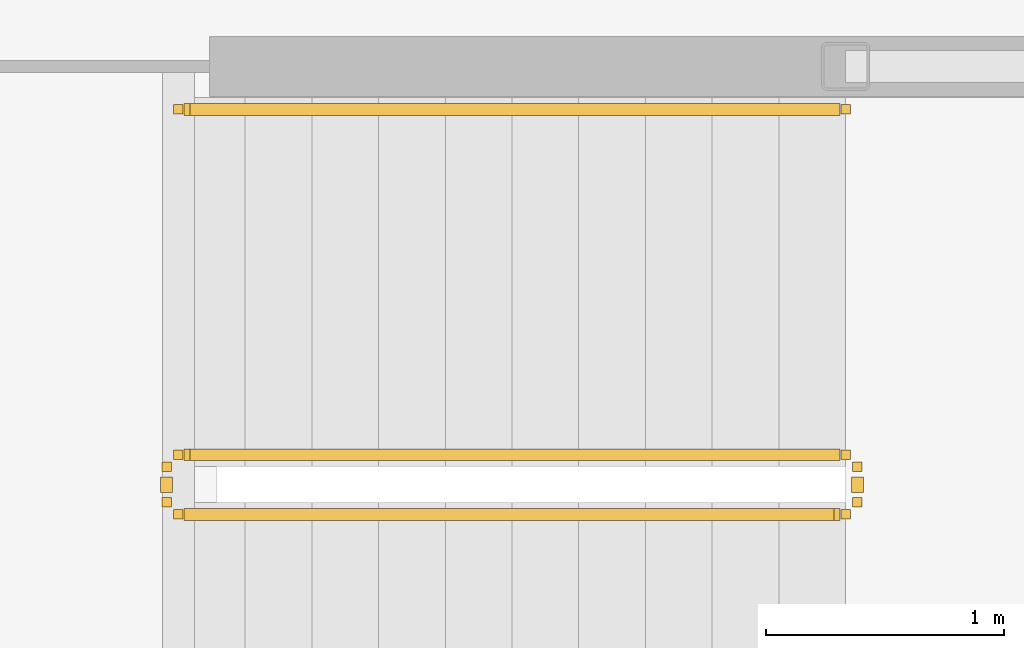
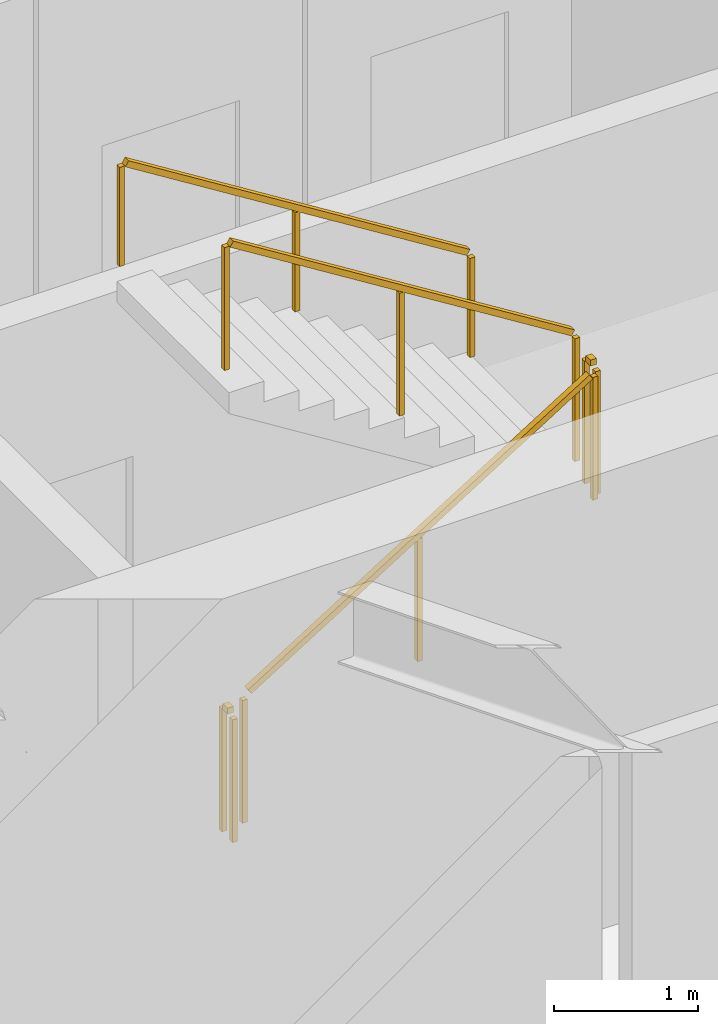
# One storey, part 27 of 30: 5 railings.
"""IFC4 building model written with IfcOpenShell, lengths in metres."""

from ifc_helpers import new_model, si_unit, direction, frame, origin, origin_2d, place, context, subcontext, project, spatial, rectangle, extrude, material, type_object, element, save


model = new_model("IFC4")

# Units and contexts
model_context = context("Model", 3, precision=1e-05, world=origin(), true_north=direction((0.0, 1.0)))
body_context = subcontext(model_context, "Body", "Model", "MODEL_VIEW")
ifc_project = project(units=[si_unit("LENGTHUNIT", "METRE"), si_unit("AREAUNIT", "SQUARE_METRE"), si_unit("VOLUMEUNIT", "CUBIC_METRE"), si_unit("PLANEANGLEUNIT", "RADIAN"), si_unit("MASSUNIT", "GRAM", prefix="KILO")], contexts=[model_context])

# Site, building, storey
site_placement = place(None, origin())
site = spatial("IfcSite", under=ifc_project, at=site_placement, CompositionType="ELEMENT")
building_placement = place(site_placement, origin())
building = spatial("IfcBuilding", under=site, at=building_placement, Name="Kazma Halo Residences", CompositionType="ELEMENT")
storey_placement = place(building_placement, frame((0.0, 0.0, 244.39990234375)))
storey = spatial("IfcBuildingStorey", under=building, at=storey_placement, Name="L61", CompositionType="ELEMENT", Elevation=244.39990234375)

# Railings
ifc_material_1 = material(Name="Painted Steel S355", Category="steel")
railing_type_1 = type_object("IfcRailingType", Name="RLG-STAIR-GRD-1100", PredefinedType="GUARDRAIL", material=ifc_material_1)
railing_1_placement = place(storey_placement, frame((53.199951171875, 35.5, 0.175048828125)))
element("IfcRailing", 1, at=railing_1_placement, inside=storey, type_object=railing_type_1, Name="L61 ST-03 stair guard 1", PredefinedType="GUARDRAIL", context=body_context, shape_type="SweptSolid", body=[
    extrude(rectangle(XDim=0.050048828125, YDim=0.050048828125, at=origin_2d()), frame((0.0361328125, 0.0, 1.09765625), z_axis=(0.848002457836, 0.0, 0.529992293815), x_axis=(0.0, 1.0, 0.0)), (0.0, 0.0, 1.0), 3.216796875),
    extrude(rectangle(XDim=0.0400390625, YDim=0.0400390625, at=origin_2d()), origin(), (0.0, 0.0, 1.0), 1.0380859375),
    extrude(rectangle(XDim=0.0400390625, YDim=0.0400390625, at=origin_2d()), frame((1.39990234375, 0.0, 0.875)), (0.0, 0.0, 1.0), 1.0380859375),
    extrude(rectangle(XDim=0.0400390625, YDim=0.0400390625, at=origin_2d()), frame((2.800048828125, 0.0, 1.75)), (0.0, 0.0, 1.0), 1.0380859375),
])
railing_2_placement = place(storey_placement, frame((56.050048828125, 35.550048828125, 1.925048828125)))
element("IfcRailing", 2, at=railing_2_placement, inside=storey, type_object=railing_type_1, Name="L61 ST-03 stair guard 2", PredefinedType="GUARDRAIL", context=body_context, shape_type="SweptSolid", body=[
    extrude(rectangle(XDim=0.050048828125, YDim=0.050048828125, at=origin_2d()), frame((0.0, 0.04248046875, 1.0751953125), z_axis=(0.0, 1.0, 0.0), x_axis=(-1.0, 0.0, 0.0)), (0.0, 0.0, 1.0), 0.06494140625),
    extrude(rectangle(XDim=0.0400390625, YDim=0.0400390625, at=origin_2d()), origin(), (0.0, 0.0, 1.0), 1.0380859375),
    extrude(rectangle(XDim=0.0400390625, YDim=0.0400390625, at=origin_2d()), frame((0.0, 0.14990234375, 0.0)), (0.0, 0.0, 1.0), 1.0380859375),
])
railing_3_placement = place(storey_placement, frame((56.0, 35.75, 2.10009765625)))
element("IfcRailing", 3, at=railing_3_placement, inside=storey, type_object=railing_type_1, Name="L61 ST-03 stair guard 3", PredefinedType="GUARDRAIL", context=body_context, shape_type="SweptSolid", body=[
    extrude(rectangle(XDim=0.050048828125, YDim=0.050048828125, at=origin_2d()), frame((-0.0361328125, 0.0, 1.09765625), z_axis=(-0.848002457836, 0.0, 0.529992293815), x_axis=(0.0, -1.0, 0.0)), (0.0, 0.0, 1.0), 3.216796875),
    extrude(rectangle(XDim=0.0400390625, YDim=0.0400390625, at=origin_2d()), origin(), (0.0, 0.0, 1.0), 1.0380859375),
    extrude(rectangle(XDim=0.0400390625, YDim=0.0400390625, at=origin_2d()), frame((-1.39990234375, 0.0, 0.875)), (0.0, 0.0, 1.0), 1.0380859375),
    extrude(rectangle(XDim=0.0400390625, YDim=0.0400390625, at=origin_2d()), frame((-2.800048828125, 0.0, 1.75)), (0.0, 0.0, 1.0), 1.0380859375),
])
railing_4_placement = place(storey_placement, frame((53.14990234375, 35.550048828125, 0.0)))
element("IfcRailing", 4, at=railing_4_placement, inside=storey, type_object=railing_type_1, Name="L61 ST-03 stair guard 4", PredefinedType="GUARDRAIL", context=body_context, shape_type="SweptSolid", body=[
    extrude(rectangle(XDim=0.050048828125, YDim=0.050048828125, at=origin_2d()), frame((0.0, 0.04248046875, 1.0751953125), z_axis=(0.0, 1.0, 0.0), x_axis=(-1.0, 0.0, 0.0)), (0.0, 0.0, 1.0), 0.06494140625),
    extrude(rectangle(XDim=0.0400390625, YDim=0.0400390625, at=origin_2d()), origin(), (0.0, 0.0, 1.0), 1.0380859375),
    extrude(rectangle(XDim=0.0400390625, YDim=0.0400390625, at=origin_2d()), frame((0.0, 0.14990234375, 0.0)), (0.0, 0.0, 1.0), 1.0380859375),
])
ifc_material_2 = material(Name="Brushed Stainless Steel", Category="steel")
railing_type_2 = type_object("IfcRailingType", Name="RLG-STAIR-HND-900", PredefinedType="HANDRAIL", material=ifc_material_2)
railing_5_placement = place(storey_placement, frame((56.0, 37.199951171875, 2.10009765625)))
element("IfcRailing", 5, at=railing_5_placement, inside=storey, type_object=railing_type_2, Name="L61 ST-03 stair handrail 2", PredefinedType="HANDRAIL", context=body_context, shape_type="SweptSolid", body=[
    extrude(rectangle(XDim=0.050048828125, YDim=0.050048828125, at=origin_2d()), frame((-0.0361328125, 0.0, 0.8974609375), z_axis=(-0.848002457836, 0.0, 0.529992293815), x_axis=(0.0, -1.0, 0.0)), (0.0, 0.0, 1.0), 3.216796875),
    extrude(rectangle(XDim=0.0400390625, YDim=0.0400390625, at=origin_2d()), origin(), (0.0, 0.0, 1.0), 0.837890625),
    extrude(rectangle(XDim=0.0400390625, YDim=0.0400390625, at=origin_2d()), frame((-1.39990234375, 0.0, 0.875)), (0.0, 0.0, 1.0), 0.837890625),
    extrude(rectangle(XDim=0.0400390625, YDim=0.0400390625, at=origin_2d()), frame((-2.800048828125, 0.0, 1.75)), (0.0, 0.0, 1.0), 0.837890625),
])

save(model, "model.ifc")
